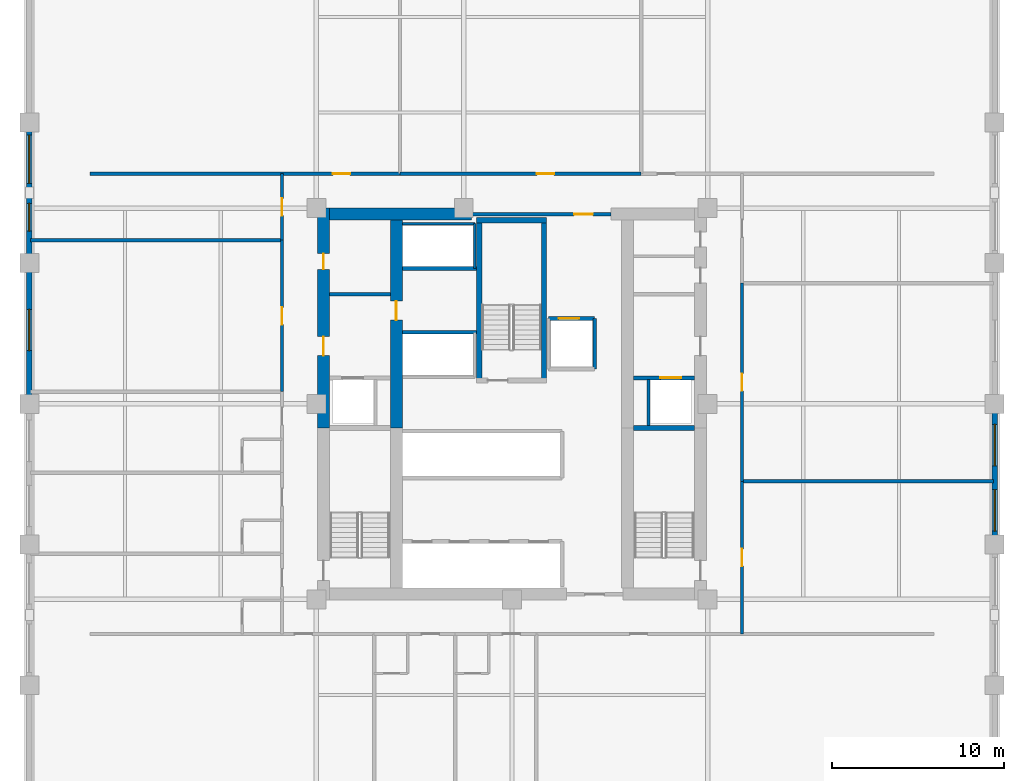
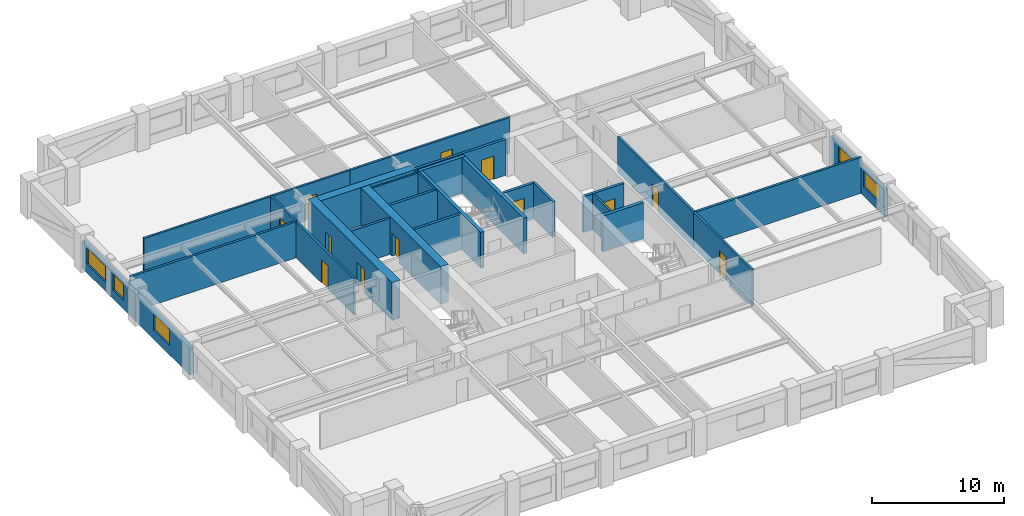
# One storey, part 4 of 7: 28 walls, 12 doors, 5 windows, 17 openings.
"""IFC4 building model written with IfcOpenShell, lengths in metres."""

from ifc_helpers import new_model, si_unit, direction, frame, frame_2d, origin, place, context, subcontext, project, spatial, rectangle, extrude, material, layer, layer_set, type_object, element, fill, save


model = new_model("IFC4")

# Units and contexts
model_context = context("Model", 3, precision=1e-05, world=origin(), true_north=direction((0.0, 1.0)))
body_context = subcontext(model_context, "Body", "Model", "MODEL_VIEW")
ifc_project = project(units=[si_unit("LENGTHUNIT", "METRE"), si_unit("AREAUNIT", "SQUARE_METRE"), si_unit("VOLUMEUNIT", "CUBIC_METRE"), si_unit("PLANEANGLEUNIT", "RADIAN"), si_unit("MASSUNIT", "GRAM", prefix="KILO")], contexts=[model_context])

# Site, building, storey
site_placement = place(None, origin())
site = spatial("IfcSite", under=ifc_project, at=site_placement, CompositionType="ELEMENT")
building_placement = place(site_placement, origin())
building = spatial("IfcBuilding", under=site, at=building_placement, Name="Nhamokura Convention Tower", CompositionType="ELEMENT")
storey_placement = place(building_placement, frame((0.0, 0.0, 59.85009765625)))
storey = spatial("IfcBuildingStorey", under=building, at=storey_placement, Name="L13", CompositionType="ELEMENT", Elevation=59.85009765625)

# Wall, opening, window
ifc_material_1 = material(Name="Bronze-pigmented precast concrete C45/55", Category="concrete")
ifc_layer_1 = layer(ifc_material_1, 0.320068359375)
ifc_layer_set_1 = layer_set([ifc_layer_1], Name="BronzePrecastSpandrel_320")
wall_type_1 = type_object("IfcWallType", Name="BronzePrecastSpandrel_320", PredefinedType="USERDEFINED", material=ifc_layer_set_1)
wall_1_placement = place(storey_placement, frame((4.0, 32.0, 0.0), z_axis=(0.0, 0.0, 1.0), x_axis=(0.0, 1.0, 0.0)))
wall_1 = element("IfcWall", 1, at=wall_1_placement, inside=storey, type_object=wall_type_1, Name="L13 Masonry-Frame Wall WEST 3", ObjectType="SPANDREL_WALL", PredefinedType="USERDEFINED", context=body_context, shape_type="SweptSolid", body=[
    extrude(rectangle(XDim=8.166748046875, YDim=0.320068359375, at=frame_2d((4.08349609375, 0.0))), origin(), (0.0, 0.0, 1.0), 2.52001953125),
])
opening_1_placement = place(wall_1_placement, frame((3.08349609375, 0.0, 0.85009765625)))
opening_1 = element("IfcOpeningElement", 2, at=opening_1_placement, cuts=wall_1, Name="Opening W-03", PredefinedType="OPENING", context=body_context, shape_type="SweptSolid", body=[
    extrude(rectangle(XDim=2.39990234375, YDim=1.469970703125, at=frame_2d((1.199951171875, 0.73486328125))), frame((0.0, 0.169921875, 0.0), z_axis=(0.0, -1.0, 0.0), x_axis=(1.0, 0.0, 0.0)), (0.0, 0.0, 1.0), 0.340087890625),
])
ifc_material_2 = material(Name="Solar-control bronze low-E double glass", Category="glass")
window_type_1 = type_object("IfcWindowType", Name="HotelBayWindow_2400", PartitioningType="DOUBLE_PANEL_VERTICAL", PredefinedType="WINDOW", material=ifc_material_2)
window_1_placement = place(opening_1_placement, origin())
window_1 = element("IfcWindow", 3, at=window_1_placement, inside=storey, type_object=window_type_1, Name="L13 Facade Window WEST 3", OverallHeight=1.469970703125, OverallWidth=2.39990234375, PartitioningType="SINGLE_PANEL", PredefinedType="WINDOW", context=body_context, shape_type="SweptSolid", body=[
    extrude(rectangle(XDim=2.39990234375, YDim=1.469970703125, at=frame_2d((1.199951171875, 0.73486328125))), frame((0.0, 0.030029296875, 0.0), z_axis=(0.0, -1.0, 0.0), x_axis=(1.0, 0.0, 0.0)), (0.0, 0.0, 1.0), 0.06005859375),
])
fill(opening_1, window_1)

# Wall, openings, windows
wall_2_placement = place(storey_placement, frame((4.0, 40.166748046875, 0.0), z_axis=(0.0, 0.0, 1.0), x_axis=(0.0, 1.0, 0.0)))
wall_2 = element("IfcWall", 4, at=wall_2_placement, inside=storey, type_object=wall_type_1, Name="L13 Masonry-Frame Wall WEST 4", ObjectType="SPANDREL_WALL", PredefinedType="USERDEFINED", context=body_context, shape_type="SweptSolid", body=[
    extrude(rectangle(XDim=8.16650390625, YDim=0.320068359375, at=frame_2d((4.083251953125, 0.0))), origin(), (0.0, 0.0, 1.0), 2.52001953125),
])
opening_2_placement = place(wall_2_placement, frame((1.8583984375, 0.0, 0.85009765625)))
opening_2 = element("IfcOpeningElement", 5, at=opening_2_placement, cuts=wall_2, Name="Opening W-11", PredefinedType="OPENING", context=body_context, shape_type="SweptSolid", body=[
    extrude(rectangle(XDim=1.60009765625, YDim=1.469970703125, at=frame_2d((0.800048828125, 0.73486328125))), frame((0.0, 0.169921875, 0.0), z_axis=(0.0, -1.0, 0.0), x_axis=(1.0, 0.0, 0.0)), (0.0, 0.0, 1.0), 0.340087890625),
])
opening_3_placement = place(wall_2_placement, frame((4.625, 0.0, 0.85009765625)))
opening_3 = element("IfcOpeningElement", 6, at=opening_3_placement, cuts=wall_2, Name="Opening W-04", PredefinedType="OPENING", context=body_context, shape_type="SweptSolid", body=[
    extrude(rectangle(XDim=2.800048828125, YDim=1.469970703125, at=frame_2d((1.39990234375, 0.73486328125))), frame((0.0, 0.169921875, 0.0), z_axis=(0.0, -1.0, 0.0), x_axis=(1.0, 0.0, 0.0)), (0.0, 0.0, 1.0), 0.340087890625),
])
ifc_material_3 = material(Name="Solar-control bronze low-E double glass", Category="glass")
window_type_2 = type_object("IfcWindowType", Name="HotelSuiteWindow_2800", PartitioningType="DOUBLE_PANEL_VERTICAL", PredefinedType="WINDOW", material=ifc_material_3)
window_2_placement = place(opening_3_placement, origin())
window_2 = element("IfcWindow", 7, at=window_2_placement, inside=storey, type_object=window_type_2, Name="L13 Facade Window WEST 4-3", OverallHeight=1.469970703125, OverallWidth=2.800048828125, PartitioningType="SINGLE_PANEL", PredefinedType="WINDOW", context=body_context, shape_type="SweptSolid", body=[
    extrude(rectangle(XDim=2.800048828125, YDim=1.469970703125, at=frame_2d((1.39990234375, 0.73486328125))), frame((0.0, 0.030029296875, 0.0), z_axis=(0.0, -1.0, 0.0), x_axis=(1.0, 0.0, 0.0)), (0.0, 0.0, 1.0), 0.06005859375),
])
fill(opening_3, window_2)
ifc_material_4 = material(Name="Solar-control bronze low-E double glass", Category="glass")
window_type_3 = type_object("IfcWindowType", Name="NotchCornerWindow_1600", PartitioningType="SINGLE_PANEL", PredefinedType="WINDOW", material=ifc_material_4)
window_3_placement = place(opening_2_placement, origin())
window_3 = element("IfcWindow", 8, at=window_3_placement, inside=storey, type_object=window_type_3, Name="L13 Facade Window WEST 4-2", OverallHeight=1.469970703125, OverallWidth=1.60009765625, PartitioningType="SINGLE_PANEL", PredefinedType="WINDOW", context=body_context, shape_type="SweptSolid", body=[
    extrude(rectangle(XDim=1.60009765625, YDim=1.469970703125, at=frame_2d((0.800048828125, 0.73486328125))), frame((0.0, 0.030029296875, 0.0), z_axis=(0.0, -1.0, 0.0), x_axis=(1.0, 0.0, 0.0)), (0.0, 0.0, 1.0), 0.06005859375),
])
fill(opening_2, window_3)

wall_3_placement = place(storey_placement, frame((60.0, 32.0, 0.0), z_axis=(0.0, 0.0, 1.0), x_axis=(0.0, -1.0, 0.0)))
wall_3 = element("IfcWall", 9, at=wall_3_placement, inside=storey, type_object=wall_type_1, Name="L13 Masonry-Frame Wall EAST 2", ObjectType="SPANDREL_WALL", PredefinedType="USERDEFINED", context=body_context, shape_type="SweptSolid", body=[
    extrude(rectangle(XDim=8.166748046875, YDim=0.320068359375, at=frame_2d((4.08349609375, 0.0))), origin(), (0.0, 0.0, 1.0), 2.52001953125),
])
opening_4_placement = place(wall_3_placement, frame((1.199951171875, 0.0, 0.85009765625)))
opening_4 = element("IfcOpeningElement", 10, at=opening_4_placement, cuts=wall_3, Name="Opening W-03", PredefinedType="OPENING", context=body_context, shape_type="SweptSolid", body=[
    extrude(rectangle(XDim=2.39990234375, YDim=1.469970703125, at=frame_2d((1.199951171875, 0.73486328125))), frame((0.0, 0.169921875, 0.0), z_axis=(0.0, -1.0, 0.0), x_axis=(1.0, 0.0, 0.0)), (0.0, 0.0, 1.0), 0.340087890625),
])
opening_5_placement = place(wall_3_placement, frame((4.9833984375, 0.0, 0.85009765625)))
opening_5 = element("IfcOpeningElement", 11, at=opening_5_placement, cuts=wall_3, Name="Opening W-03", PredefinedType="OPENING", context=body_context, shape_type="SweptSolid", body=[
    extrude(rectangle(XDim=2.39990234375, YDim=1.469970703125, at=frame_2d((1.199951171875, 0.73486328125))), frame((0.0, 0.169921875, 0.0), z_axis=(0.0, -1.0, 0.0), x_axis=(1.0, 0.0, 0.0)), (0.0, 0.0, 1.0), 0.340087890625),
])
window_4_placement = place(opening_4_placement, origin())
window_4 = element("IfcWindow", 12, at=window_4_placement, inside=storey, type_object=window_type_1, Name="L13 Facade Window EAST 2-1", OverallHeight=1.469970703125, OverallWidth=2.39990234375, PartitioningType="SINGLE_PANEL", PredefinedType="WINDOW", context=body_context, shape_type="SweptSolid", body=[
    extrude(rectangle(XDim=2.39990234375, YDim=1.469970703125, at=frame_2d((1.199951171875, 0.73486328125))), frame((0.0, 0.030029296875, 0.0), z_axis=(0.0, -1.0, 0.0), x_axis=(1.0, 0.0, 0.0)), (0.0, 0.0, 1.0), 0.06005859375),
])
fill(opening_4, window_4)
window_5_placement = place(opening_5_placement, origin())
window_5 = element("IfcWindow", 13, at=window_5_placement, inside=storey, type_object=window_type_1, Name="L13 Facade Window EAST 2-2", OverallHeight=1.469970703125, OverallWidth=2.39990234375, PartitioningType="SINGLE_PANEL", PredefinedType="WINDOW", context=body_context, shape_type="SweptSolid", body=[
    extrude(rectangle(XDim=2.39990234375, YDim=1.469970703125, at=frame_2d((1.199951171875, 0.73486328125))), frame((0.0, 0.030029296875, 0.0), z_axis=(0.0, -1.0, 0.0), x_axis=(1.0, 0.0, 0.0)), (0.0, 0.0, 1.0), 0.06005859375),
])
fill(opening_5, window_5)

# Wall, openings, doors
ifc_material_5 = material(Name="Concrete C70/85", Category="concrete")
ifc_layer_2 = layer(ifc_material_5, 0.699951171875)
ifc_layer_set_2 = layer_set([ifc_layer_2], Name="CoreShearWall_700")
wall_type_2 = type_object("IfcWallType", Name="CoreShearWall_700", PredefinedType="SHEAR", material=ifc_layer_set_2)
wall_4_placement = place(storey_placement, frame((21.06005859375, 30.60009765625, 0.0), z_axis=(0.0, 0.0, 1.0), x_axis=(0.0, 1.0, 0.0)))
wall_4 = element("IfcWall", 14, at=wall_4_placement, inside=storey, type_object=wall_type_2, Name="L13 Core Shear Wall CW-WN", PredefinedType="SHEAR", context=body_context, shape_type="SweptSolid", body=[
    extrude(rectangle(XDim=12.75, YDim=0.699951171875, at=frame_2d((6.375, 0.0))), origin(), (0.0, 0.0, 1.0), 3.5),
])
opening_6_placement = place(wall_4_placement, frame((4.199951171875, 0.0, 0.0)))
opening_6 = element("IfcOpeningElement", 15, at=opening_6_placement, cuts=wall_4, Name="Opening D-05", PredefinedType="OPENING", context=body_context, shape_type="SweptSolid", body=[
    extrude(rectangle(XDim=1.10009765625, YDim=2.14990234375, at=frame_2d((0.550048828125, 1.074951171875))), frame((0.0, 0.35986328125, 0.0), z_axis=(0.0, -1.0, 0.0), x_axis=(1.0, 0.0, 0.0)), (0.0, 0.0, 1.0), 0.719970703125),
])
opening_7_placement = place(wall_4_placement, frame((9.199951171875, 0.0, 0.0)))
opening_7 = element("IfcOpeningElement", 16, at=opening_7_placement, cuts=wall_4, Name="Opening D-10", PredefinedType="OPENING", context=body_context, shape_type="SweptSolid", body=[
    extrude(rectangle(XDim=0.919921875, YDim=2.10009765625, at=frame_2d((0.4599609375, 1.050048828125))), frame((0.0, 0.35986328125, 0.0), z_axis=(0.0, -1.0, 0.0), x_axis=(1.0, 0.0, 0.0)), (0.0, 0.0, 1.0), 0.719970703125),
])
ifc_material_6 = material(Name="Solid oak hardwood", Category="wood")
door_type_1 = type_object("IfcDoorType", Name="AccessibleWCDoor_920", OperationType="NOTDEFINED", PredefinedType="DOOR", material=ifc_material_6)
door_1_placement = place(opening_7_placement, origin())
door_1 = element("IfcDoor", 17, at=door_1_placement, inside=storey, type_object=door_type_1, Name="L13 Core Door INT-L13-D-AWC", OperationType="SINGLE_SWING_LEFT", OverallHeight=2.10009765625, OverallWidth=0.919921875, PredefinedType="DOOR", context=body_context, shape_type="SweptSolid", body=[
    extrude(rectangle(XDim=0.919921875, YDim=2.10009765625, at=frame_2d((0.4599609375, 1.050048828125))), frame((0.0, 0.02490234375, 0.0), z_axis=(0.0, -1.0, 0.0), x_axis=(1.0, 0.0, 0.0)), (0.0, 0.0, 1.0), 0.050048828125),
])
fill(opening_7, door_1)
ifc_material_7 = material(Name="Fire-rated steel door", Category="steel")
door_type_2 = type_object("IfcDoorType", Name="FireLobbyDoor_1100", OperationType="NOTDEFINED", PredefinedType="DOOR", material=ifc_material_7)
door_2_placement = place(opening_6_placement, origin())
door_2 = element("IfcDoor", 18, at=door_2_placement, inside=storey, type_object=door_type_2, Name="L13 Core Door INT-L13-D-FFLW", OperationType="SINGLE_SWING_RIGHT", OverallHeight=2.14990234375, OverallWidth=1.10009765625, PredefinedType="DOOR", context=body_context, shape_type="SweptSolid", body=[
    extrude(rectangle(XDim=1.10009765625, YDim=2.14990234375, at=frame_2d((0.550048828125, 1.074951171875))), frame((0.0, 0.02490234375, 0.0), z_axis=(0.0, -1.0, 0.0), x_axis=(1.0, 0.0, 0.0)), (0.0, 0.0, 1.0), 0.050048828125),
])
fill(opening_6, door_2)

# Wall
wall_5_placement = place(storey_placement, frame((21.409912109375, 43.0, 0.0), z_axis=(0.0, 0.0, 1.0), x_axis=(1.0, 0.0, 0.0)))
element("IfcWall", 19, at=wall_5_placement, inside=storey, type_object=wall_type_2, Name="L13 Core Shear Wall CW-N1", PredefinedType="SHEAR", context=body_context, shape_type="SweptSolid", body=[
    extrude(rectangle(XDim=8.239990234375, YDim=0.699951171875, at=frame_2d((4.1201171875, 0.0))), origin(), (0.0, 0.0, 1.0), 3.5),
])

# Wall, opening, door
wall_6_placement = place(storey_placement, frame((25.2900390625, 30.60009765625, 0.0), z_axis=(0.0, 0.0, 1.0), x_axis=(0.0, 1.0, 0.0)))
wall_6 = element("IfcWall", 20, at=wall_6_placement, inside=storey, type_object=wall_type_2, Name="L13 Core Shear Wall CW-IWN", PredefinedType="SHEAR", context=body_context, shape_type="SweptSolid", body=[
    extrude(rectangle(XDim=12.0498046875, YDim=0.699951171875, at=frame_2d((6.02490234375, 0.0))), origin(), (0.0, 0.0, 1.0), 3.5),
])
opening_8_placement = place(wall_6_placement, frame((6.25, 0.0, 0.0)))
opening_8 = element("IfcOpeningElement", 21, at=opening_8_placement, cuts=wall_6, Name="Opening D-05", PredefinedType="OPENING", context=body_context, shape_type="SweptSolid", body=[
    extrude(rectangle(XDim=1.10009765625, YDim=2.14990234375, at=frame_2d((0.550048828125, 1.074951171875))), frame((0.0, 0.35986328125, 0.0), z_axis=(0.0, -1.0, 0.0), x_axis=(1.0, 0.0, 0.0)), (0.0, 0.0, 1.0), 0.719970703125),
])
door_3_placement = place(opening_8_placement, origin())
door_3 = element("IfcDoor", 22, at=door_3_placement, inside=storey, type_object=door_type_2, Name="L13 Core Door INT-L13-D-B3LOB", OperationType="SINGLE_SWING_LEFT", OverallHeight=2.14990234375, OverallWidth=1.10009765625, PredefinedType="DOOR", context=body_context, shape_type="SweptSolid", body=[
    extrude(rectangle(XDim=1.10009765625, YDim=2.14990234375, at=frame_2d((0.550048828125, 1.074951171875))), frame((0.0, 0.02490234375, 0.0), z_axis=(0.0, -1.0, 0.0), x_axis=(1.0, 0.0, 0.0)), (0.0, 0.0, 1.0), 0.050048828125),
])
fill(opening_8, door_3)

ifc_material_8 = material(Name="Fire-rated gypsum and masonry partition", Category="masonry")
ifc_layer_3 = layer(ifc_material_8, 0.179931640625)
ifc_layer_set_3 = layer_set([ifc_layer_3], Name="CorridorRatedWall_180")
wall_type_3 = type_object("IfcWallType", Name="CorridorRatedWall_180", PredefinedType="STANDARD", material=ifc_layer_set_3)
wall_7_placement = place(storey_placement, frame((7.5, 45.35009765625, 0.0), z_axis=(0.0, 0.0, 1.0), x_axis=(1.0, 0.0, 0.0)))
wall_7 = element("IfcWall", 23, at=wall_7_placement, inside=storey, type_object=wall_type_3, Name="L13 Wall INT-L13-CW-N00", PredefinedType="STANDARD", context=body_context, shape_type="SweptSolid", body=[
    extrude(rectangle(XDim=18.0, YDim=0.179931640625, at=frame_2d((9.0, 0.0))), origin(), (0.0, 0.0, 1.0), 3.31982421875),
])
opening_9_placement = place(wall_7_placement, frame((14.10009765625, 0.0, 0.0)))
opening_9 = element("IfcOpeningElement", 24, at=opening_9_placement, cuts=wall_7, Name="Opening D-07", PredefinedType="OPENING", context=body_context, shape_type="SweptSolid", body=[
    extrude(rectangle(XDim=1.0, YDim=2.14990234375, at=frame_2d((0.5, 1.074951171875))), frame((0.0, 0.099853515625, 0.0), z_axis=(0.0, -1.0, 0.0), x_axis=(1.0, 0.0, 0.0)), (0.0, 0.0, 1.0), 0.199951171875),
])
ifc_material_9 = material(Name="Solid oak hardwood", Category="wood")
door_type_3 = type_object("IfcDoorType", Name="HotelSuiteEntryDoor_1000", OperationType="NOTDEFINED", PredefinedType="DOOR", material=ifc_material_9)
door_4_placement = place(opening_9_placement, origin())
door_4 = element("IfcDoor", 25, at=door_4_placement, inside=storey, type_object=door_type_3, Name="L13 Conference Salon N01 Door", OperationType="SINGLE_SWING_LEFT", OverallHeight=2.14990234375, OverallWidth=1.0, PredefinedType="DOOR", context=body_context, shape_type="SweptSolid", body=[
    extrude(rectangle(XDim=1.0, YDim=2.14990234375, at=frame_2d((0.5, 1.074951171875))), frame((0.0, 0.02490234375, 0.0), z_axis=(0.0, -1.0, 0.0), x_axis=(1.0, 0.0, 0.0)), (0.0, 0.0, 1.0), 0.050048828125),
])
fill(opening_9, door_4)

wall_8_placement = place(storey_placement, frame((25.5, 45.35009765625, 0.0), z_axis=(0.0, 0.0, 1.0), x_axis=(1.0, 0.0, 0.0)))
wall_8 = element("IfcWall", 26, at=wall_8_placement, inside=storey, type_object=wall_type_3, Name="L13 Wall INT-L13-CW-N01", PredefinedType="STANDARD", context=body_context, shape_type="SweptSolid", body=[
    extrude(rectangle(XDim=14.0, YDim=0.179931640625, at=frame_2d((7.0, 0.0))), origin(), (0.0, 0.0, 1.0), 3.31982421875),
])
opening_10_placement = place(wall_8_placement, frame((7.949951171875, 0.0, 0.0)))
opening_10 = element("IfcOpeningElement", 27, at=opening_10_placement, cuts=wall_8, Name="Opening D-07", PredefinedType="OPENING", context=body_context, shape_type="SweptSolid", body=[
    extrude(rectangle(XDim=1.0, YDim=2.14990234375, at=frame_2d((0.5, 1.074951171875))), frame((0.0, 0.099853515625, 0.0), z_axis=(0.0, -1.0, 0.0), x_axis=(1.0, 0.0, 0.0)), (0.0, 0.0, 1.0), 0.199951171875),
])
door_5_placement = place(opening_10_placement, origin())
door_5 = element("IfcDoor", 28, at=door_5_placement, inside=storey, type_object=door_type_3, Name="L13 Hotel Lounge N02 Door", OperationType="SINGLE_SWING_RIGHT", OverallHeight=2.14990234375, OverallWidth=1.0, PredefinedType="DOOR", context=body_context, shape_type="SweptSolid", body=[
    extrude(rectangle(XDim=1.0, YDim=2.14990234375, at=frame_2d((0.5, 1.074951171875))), frame((0.0, 0.02490234375, 0.0), z_axis=(0.0, -1.0, 0.0), x_axis=(1.0, 0.0, 0.0)), (0.0, 0.0, 1.0), 0.050048828125),
])
fill(opening_10, door_5)

wall_9_placement = place(storey_placement, frame((18.64990234375, 32.699951171875, 0.0), z_axis=(0.0, 0.0, 1.0), x_axis=(0.0, 1.0, 0.0)))
wall_9 = element("IfcWall", 29, at=wall_9_placement, inside=storey, type_object=wall_type_3, Name="L13 Wall INT-L13-CW-W03", PredefinedType="STANDARD", context=body_context, shape_type="SweptSolid", body=[
    extrude(rectangle(XDim=8.800048828125, YDim=0.179931640625, at=frame_2d((4.39990234375, 0.0))), origin(), (0.0, 0.0, 1.0), 3.31982421875),
])
opening_11_placement = place(wall_9_placement, frame((3.89990234375, 0.0, 0.0)))
opening_11 = element("IfcOpeningElement", 30, at=opening_11_placement, cuts=wall_9, Name="Opening D-07", PredefinedType="OPENING", context=body_context, shape_type="SweptSolid", body=[
    extrude(rectangle(XDim=1.0, YDim=2.14990234375, at=frame_2d((0.5, 1.074951171875))), frame((0.0, 0.099853515625, 0.0), z_axis=(0.0, -1.0, 0.0), x_axis=(1.0, 0.0, 0.0)), (0.0, 0.0, 1.0), 0.199951171875),
])
door_6_placement = place(opening_11_placement, origin())
door_6 = element("IfcDoor", 31, at=door_6_placement, inside=storey, type_object=door_type_3, Name="L13 Conference Salon W04 Door", OperationType="SINGLE_SWING_RIGHT", OverallHeight=2.14990234375, OverallWidth=1.0, PredefinedType="DOOR", context=body_context, shape_type="SweptSolid", body=[
    extrude(rectangle(XDim=1.0, YDim=2.14990234375, at=frame_2d((0.5, 1.074951171875))), frame((0.0, 0.02490234375, 0.0), z_axis=(0.0, -1.0, 0.0), x_axis=(1.0, 0.0, 0.0)), (0.0, 0.0, 1.0), 0.050048828125),
])
fill(opening_11, door_6)

wall_10_placement = place(storey_placement, frame((18.64990234375, 41.5, 0.0), z_axis=(0.0, 0.0, 1.0), x_axis=(0.0, 1.0, 0.0)))
wall_10 = element("IfcWall", 32, at=wall_10_placement, inside=storey, type_object=wall_type_3, Name="L13 Wall INT-L13-CW-W04", PredefinedType="STANDARD", context=body_context, shape_type="SweptSolid", body=[
    extrude(rectangle(XDim=3.85009765625, YDim=0.179931640625, at=frame_2d((1.925048828125, 0.0))), origin(), (0.0, 0.0, 1.0), 3.31982421875),
])
opening_12_placement = place(wall_10_placement, frame((1.425048828125, 0.0, 0.0)))
opening_12 = element("IfcOpeningElement", 33, at=opening_12_placement, cuts=wall_10, Name="Opening D-07", PredefinedType="OPENING", context=body_context, shape_type="SweptSolid", body=[
    extrude(rectangle(XDim=1.0, YDim=2.14990234375, at=frame_2d((0.5, 1.074951171875))), frame((0.0, 0.099853515625, 0.0), z_axis=(0.0, -1.0, 0.0), x_axis=(1.0, 0.0, 0.0)), (0.0, 0.0, 1.0), 0.199951171875),
])
door_7_placement = place(opening_12_placement, origin())
door_7 = element("IfcDoor", 34, at=door_7_placement, inside=storey, type_object=door_type_3, Name="L13 Service Linen Room W05 Door", OperationType="SINGLE_SWING_LEFT", OverallHeight=2.14990234375, OverallWidth=1.0, PredefinedType="DOOR", context=body_context, shape_type="SweptSolid", body=[
    extrude(rectangle(XDim=1.0, YDim=2.14990234375, at=frame_2d((0.5, 1.074951171875))), frame((0.0, 0.02490234375, 0.0), z_axis=(0.0, -1.0, 0.0), x_axis=(1.0, 0.0, 0.0)), (0.0, 0.0, 1.0), 0.050048828125),
])
fill(opening_12, door_7)

wall_11_placement = place(storey_placement, frame((45.35009765625, 18.64990234375, 0.0), z_axis=(0.0, 0.0, 1.0), x_axis=(0.0, 1.0, 0.0)))
wall_11 = element("IfcWall", 35, at=wall_11_placement, inside=storey, type_object=wall_type_3, Name="L13 Wall INT-L13-CW-E00", PredefinedType="STANDARD", context=body_context, shape_type="SweptSolid", body=[
    extrude(rectangle(XDim=8.85009765625, YDim=0.179931640625, at=frame_2d((4.425048828125, 0.0))), origin(), (0.0, 0.0, 1.0), 3.31982421875),
])
opening_13_placement = place(wall_11_placement, frame((3.925048828125, 0.0, 0.0)))
opening_13 = element("IfcOpeningElement", 36, at=opening_13_placement, cuts=wall_11, Name="Opening D-07", PredefinedType="OPENING", context=body_context, shape_type="SweptSolid", body=[
    extrude(rectangle(XDim=1.0, YDim=2.14990234375, at=frame_2d((0.5, 1.074951171875))), frame((0.0, 0.099853515625, 0.0), z_axis=(0.0, -1.0, 0.0), x_axis=(1.0, 0.0, 0.0)), (0.0, 0.0, 1.0), 0.199951171875),
])
door_8_placement = place(opening_13_placement, origin())
door_8 = element("IfcDoor", 37, at=door_8_placement, inside=storey, type_object=door_type_3, Name="L13 Business Studio E01 Door", OperationType="SINGLE_SWING_LEFT", OverallHeight=2.14990234375, OverallWidth=1.0, PredefinedType="DOOR", context=body_context, shape_type="SweptSolid", body=[
    extrude(rectangle(XDim=1.0, YDim=2.14990234375, at=frame_2d((0.5, 1.074951171875))), frame((0.0, 0.02490234375, 0.0), z_axis=(0.0, -1.0, 0.0), x_axis=(1.0, 0.0, 0.0)), (0.0, 0.0, 1.0), 0.050048828125),
])
fill(opening_13, door_8)

wall_12_placement = place(storey_placement, frame((45.35009765625, 27.5, 0.0), z_axis=(0.0, 0.0, 1.0), x_axis=(0.0, 1.0, 0.0)))
wall_12 = element("IfcWall", 38, at=wall_12_placement, inside=storey, type_object=wall_type_3, Name="L13 Wall INT-L13-CW-E01", PredefinedType="STANDARD", context=body_context, shape_type="SweptSolid", body=[
    extrude(rectangle(XDim=11.5, YDim=0.179931640625, at=frame_2d((5.75, 0.0))), origin(), (0.0, 0.0, 1.0), 3.31982421875),
])
opening_14_placement = place(wall_12_placement, frame((5.25, 0.0, 0.0)))
opening_14 = element("IfcOpeningElement", 39, at=opening_14_placement, cuts=wall_12, Name="Opening D-07", PredefinedType="OPENING", context=body_context, shape_type="SweptSolid", body=[
    extrude(rectangle(XDim=1.0, YDim=2.14990234375, at=frame_2d((0.5, 1.074951171875))), frame((0.0, 0.099853515625, 0.0), z_axis=(0.0, -1.0, 0.0), x_axis=(1.0, 0.0, 0.0)), (0.0, 0.0, 1.0), 0.199951171875),
])
door_9_placement = place(opening_14_placement, origin())
door_9 = element("IfcDoor", 40, at=door_9_placement, inside=storey, type_object=door_type_3, Name="L13 Housekeeping Store E02 Door", OperationType="SINGLE_SWING_RIGHT", OverallHeight=2.14990234375, OverallWidth=1.0, PredefinedType="DOOR", context=body_context, shape_type="SweptSolid", body=[
    extrude(rectangle(XDim=1.0, YDim=2.14990234375, at=frame_2d((0.5, 1.074951171875))), frame((0.0, 0.02490234375, 0.0), z_axis=(0.0, -1.0, 0.0), x_axis=(1.0, 0.0, 0.0)), (0.0, 0.0, 1.0), 0.050048828125),
])
fill(opening_14, door_9)

ifc_material_10 = material(Name="Autoclaved concrete blockwork", Category="masonry")
ifc_layer_4 = layer(ifc_material_10, 0.219970703125)
ifc_layer_set_4 = layer_set([ifc_layer_4], Name="FireLobbyWall_220")
wall_type_4 = type_object("IfcWallType", Name="FireLobbyWall_220", PredefinedType="STANDARD", material=ifc_layer_set_4)
wall_13_placement = place(storey_placement, frame((39.06005859375, 33.5, 0.0), z_axis=(0.0, 0.0, 1.0), x_axis=(1.0, 0.0, 0.0)))
wall_13 = element("IfcWall", 41, at=wall_13_placement, inside=storey, type_object=wall_type_4, Name="L13 Wall INT-L13-FFE-S", PredefinedType="STANDARD", context=body_context, shape_type="SweptSolid", body=[
    extrude(rectangle(XDim=3.530029296875, YDim=0.219970703125, at=frame_2d((1.76513671875, 0.0))), origin(), (0.0, 0.0, 1.0), 3.31982421875),
])
opening_15_placement = place(wall_13_placement, frame((1.550048828125, 0.0, 0.0)))
opening_15 = element("IfcOpeningElement", 42, at=opening_15_placement, cuts=wall_13, Name="Opening LD-02", PredefinedType="OPENING", context=body_context, shape_type="SweptSolid", body=[
    extrude(rectangle(XDim=1.199951171875, YDim=2.199951171875, at=frame_2d((0.60009765625, 1.10009765625))), frame((0.0, 0.119873046875, 0.0), z_axis=(0.0, -1.0, 0.0), x_axis=(1.0, 0.0, 0.0)), (0.0, 0.0, 1.0), 0.239990234375),
])
ifc_material_11 = material(Name="Anodised bronze stainless steel", Category="steel")
door_type_4 = type_object("IfcDoorType", Name="LiftLandingDoor_FireService", OperationType="DOUBLE_DOOR_SLIDING", PredefinedType="DOOR", material=ifc_material_11)
door_10_placement = place(opening_15_placement, origin())
door_10 = element("IfcDoor", 43, at=door_10_placement, inside=storey, type_object=door_type_4, Name="L13 Firefighting Lift LF-02 Door", OperationType="DOUBLE_DOOR_SLIDING", OverallHeight=2.199951171875, OverallWidth=1.199951171875, PredefinedType="DOOR", context=body_context, shape_type="SweptSolid", body=[
    extrude(rectangle(XDim=1.199951171875, YDim=2.199951171875, at=frame_2d((0.60009765625, 1.10009765625))), frame((0.0, 0.02490234375, 0.0), z_axis=(0.0, -1.0, 0.0), x_axis=(1.0, 0.0, 0.0)), (0.0, 0.0, 1.0), 0.050048828125),
])
fill(opening_15, door_10)

# Walls
wall_14_placement = place(storey_placement, frame((21.409912109375, 38.35009765625, 0.0), z_axis=(0.0, 0.0, 1.0), x_axis=(1.0, 0.0, 0.0)))
element("IfcWall", 44, at=wall_14_placement, inside=storey, type_object=wall_type_4, Name="L13 Wall INT-L13-FFW-N", PredefinedType="STANDARD", context=body_context, shape_type="SweptSolid", body=[
    extrude(rectangle(XDim=3.530029296875, YDim=0.219970703125, at=frame_2d((1.76513671875, 0.0))), origin(), (0.0, 0.0, 1.0), 3.31982421875),
])
for number, where, z_axis, x_axis, name in (
    (45, (25.64990234375, 36.14990234375, 0.0), (0.0, 0.0, 1.0), (1.0, 0.0, 0.0), "L13 Wall INT-L13-B3S"),
    (46, (25.64990234375, 39.85009765625, 0.0), (0.0, 0.0, 1.0), (1.0, 0.0, 0.0), "L13 Wall INT-L13-B3N"),
):
    element("IfcWall", number, at=place(storey_placement, frame(where, z_axis=z_axis, x_axis=x_axis)), inside=storey, type_object=wall_type_4, Name=name, PredefinedType="STANDARD", context=body_context, shape_type="SweptSolid", body=[
        extrude(rectangle(XDim=4.300048828125, YDim=0.219970703125, at=frame_2d((2.14990234375, 0.0))), origin(), (0.0, 0.0, 1.0), 3.31982421875),
    ])

# Wall, opening, door
wall_15_placement = place(storey_placement, frame((29.64990234375, 43.0, 0.0), z_axis=(0.0, 0.0, 1.0), x_axis=(1.0, 0.0, 0.0)))
wall_15 = element("IfcWall", 47, at=wall_15_placement, inside=storey, type_object=wall_type_4, Name="L13 Wall INT-L13-CPORT-N", PredefinedType="STANDARD", context=body_context, shape_type="SweptSolid", body=[
    extrude(rectangle(XDim=8.10009765625, YDim=0.219970703125, at=frame_2d((4.050048828125, 0.0))), origin(), (0.0, 0.0, 1.0), 3.31982421875),
])
opening_16_placement = place(wall_15_placement, frame((5.949951171875, 0.0, 0.0)))
opening_16 = element("IfcOpeningElement", 48, at=opening_16_placement, cuts=wall_15, Name="Opening D-05", PredefinedType="OPENING", context=body_context, shape_type="SweptSolid", body=[
    extrude(rectangle(XDim=1.10009765625, YDim=2.14990234375, at=frame_2d((0.550048828125, 1.074951171875))), frame((0.0, 0.119873046875, 0.0), z_axis=(0.0, -1.0, 0.0), x_axis=(1.0, 0.0, 0.0)), (0.0, 0.0, 1.0), 0.239990234375),
])
door_11_placement = place(opening_16_placement, origin())
door_11 = element("IfcDoor", 49, at=door_11_placement, inside=storey, type_object=door_type_2, Name="L13 North Core Lobby Portal Door", OperationType="SINGLE_SWING_RIGHT", OverallHeight=2.14990234375, OverallWidth=1.10009765625, PredefinedType="DOOR", context=body_context, shape_type="SweptSolid", body=[
    extrude(rectangle(XDim=1.10009765625, YDim=2.14990234375, at=frame_2d((0.550048828125, 1.074951171875))), frame((0.0, 0.02490234375, 0.0), z_axis=(0.0, -1.0, 0.0), x_axis=(1.0, 0.0, 0.0)), (0.0, 0.0, 1.0), 0.050048828125),
])
fill(opening_16, door_11)

wall_16_placement = place(storey_placement, frame((34.1201171875, 36.949951171875, 0.0), z_axis=(0.0, 0.0, 1.0), x_axis=(1.0, 0.0, 0.0)))
wall_16 = element("IfcWall", 50, at=wall_16_placement, inside=storey, type_object=wall_type_4, Name="L13 Wall INT-L13-LSN", PredefinedType="STANDARD", context=body_context, shape_type="SweptSolid", body=[
    extrude(rectangle(XDim=2.679931640625, YDim=0.219970703125, at=frame_2d((1.33984375, 0.0))), origin(), (0.0, 0.0, 1.0), 3.31982421875),
])
opening_17_placement = place(wall_16_placement, frame((0.580078125, 0.0, 0.0)))
opening_17 = element("IfcOpeningElement", 51, at=opening_17_placement, cuts=wall_16, Name="Opening LD-02", PredefinedType="OPENING", context=body_context, shape_type="SweptSolid", body=[
    extrude(rectangle(XDim=1.199951171875, YDim=2.199951171875, at=frame_2d((0.60009765625, 1.10009765625))), frame((0.0, 0.119873046875, 0.0), z_axis=(0.0, -1.0, 0.0), x_axis=(1.0, 0.0, 0.0)), (0.0, 0.0, 1.0), 0.239990234375),
])
door_12_placement = place(opening_17_placement, origin())
door_12 = element("IfcDoor", 52, at=door_12_placement, inside=storey, type_object=door_type_4, Name="L13 Service Lift LS-01 Door", OperationType="DOUBLE_DOOR_SLIDING", OverallHeight=2.199951171875, OverallWidth=1.199951171875, PredefinedType="DOOR", context=body_context, shape_type="SweptSolid", body=[
    extrude(rectangle(XDim=1.199951171875, YDim=2.199951171875, at=frame_2d((0.60009765625, 1.10009765625))), frame((0.0, 0.02490234375, 0.0), z_axis=(0.0, -1.0, 0.0), x_axis=(1.0, 0.0, 0.0)), (0.0, 0.0, 1.0), 0.050048828125),
])
fill(opening_17, door_12)

# Walls
wall_17_placement = place(storey_placement, frame((36.800048828125, 34.02001953125, 0.0), z_axis=(0.0, 0.0, 1.0), x_axis=(0.0, 1.0, 0.0)))
element("IfcWall", 53, at=wall_17_placement, inside=storey, type_object=wall_type_4, Name="L13 Wall INT-L13-LSE", PredefinedType="STANDARD", context=body_context, shape_type="SweptSolid", body=[
    extrude(rectangle(XDim=2.929931640625, YDim=0.219970703125, at=frame_2d((1.46484375, 0.0))), origin(), (0.0, 0.0, 1.0), 3.31982421875),
])
ifc_material_12 = material(Name="Acoustic twin-stud gypsum partition", Category="masonry")
ifc_layer_5 = layer(ifc_material_12, 0.199951171875)
ifc_layer_set_5 = layer_set([ifc_layer_5], Name="HotelDemisingWall_200")
wall_type_5 = type_object("IfcWallType", Name="HotelDemisingWall_200", PredefinedType="STANDARD", material=ifc_layer_set_5)
for number, where, z_axis, x_axis, name in (
    (54, (4.06005859375, 41.5, 0.0), (0.0, 0.0, 1.0), (1.0, 0.0, 0.0), "L13 Wall INT-L13-RW-W04"),
    (55, (45.35009765625, 27.5, 0.0), (0.0, 0.0, 1.0), (1.0, 0.0, 0.0), "L13 Wall INT-L13-RW-E01"),
):
    element("IfcWall", number, at=place(storey_placement, frame(where, z_axis=z_axis, x_axis=x_axis)), inside=storey, type_object=wall_type_5, Name=name, PredefinedType="STANDARD", context=body_context, shape_type="SweptSolid", body=[
        extrude(rectangle(XDim=14.58984375, YDim=0.199951171875, at=frame_2d((7.294921875, 0.0))), origin(), (0.0, 0.0, 1.0), 3.31982421875),
    ])
ifc_material_13 = material(Name="Acoustic gypsum stud partition", Category="masonry")
ifc_layer_6 = layer(ifc_material_13, 0.14990234375)
ifc_layer_set_6 = layer_set([ifc_layer_6], Name="InteriorPartition_150")
wall_type_6 = type_object("IfcWallType", Name="InteriorPartition_150", PredefinedType="STANDARD", material=ifc_layer_set_6)
wall_18_placement = place(storey_placement, frame((39.919921875, 30.75, 0.0), z_axis=(0.0, 0.0, 1.0), x_axis=(0.0, 1.0, 0.0)))
element("IfcWall", 56, at=wall_18_placement, inside=storey, type_object=wall_type_6, Name="L13 Wall INT-L13-FF2-W", PredefinedType="STANDARD", context=body_context, shape_type="SweptSolid", body=[
    extrude(rectangle(XDim=2.64990234375, YDim=0.14990234375, at=frame_2d((1.324951171875, 0.0))), origin(), (0.0, 0.0, 1.0), 3.31982421875),
])
wall_19_placement = place(storey_placement, frame((25.64990234375, 42.449951171875, 0.0), z_axis=(0.0, 0.0, 1.0), x_axis=(1.0, 0.0, 0.0)))
element("IfcWall", 57, at=wall_19_placement, inside=storey, type_object=wall_type_6, Name="L13 Wall INT-L13-B3B-N", PredefinedType="STANDARD", context=body_context, shape_type="SweptSolid", body=[
    extrude(rectangle(XDim=4.2001953125, YDim=0.14990234375, at=frame_2d((2.10009765625, 0.0))), origin(), (0.0, 0.0, 1.0), 3.31982421875),
])
wall_20_placement = place(storey_placement, frame((29.85009765625, 39.85009765625, 0.0), z_axis=(0.0, 0.0, 1.0), x_axis=(0.0, 1.0, 0.0)))
element("IfcWall", 58, at=wall_20_placement, inside=storey, type_object=wall_type_6, Name="L13 Wall INT-L13-B3B-E", PredefinedType="STANDARD", context=body_context, shape_type="SweptSolid", body=[
    extrude(rectangle(XDim=2.599853515625, YDim=0.14990234375, at=frame_2d((1.2998046875, 0.0))), origin(), (0.0, 0.0, 1.0), 3.31982421875),
])
ifc_material_14 = material(Name="Concrete C50/60", Category="concrete")
ifc_layer_7 = layer(ifc_material_14, 0.300048828125)
ifc_layer_set_7 = layer_set([ifc_layer_7], Name="ShaftEnclosureWall_300")
wall_type_7 = type_object("IfcWallType", Name="ShaftEnclosureWall_300", PredefinedType="SHEAR", material=ifc_layer_set_7)
wall_21_placement = place(storey_placement, frame((39.06005859375, 30.60009765625, 0.0), z_axis=(0.0, 0.0, 1.0), x_axis=(1.0, 0.0, 0.0)))
element("IfcWall", 59, at=wall_21_placement, inside=storey, type_object=wall_type_7, Name="L13 Wall INT-L13-ST02-N", PredefinedType="SHEAR", context=body_context, shape_type="SweptSolid", body=[
    extrude(rectangle(XDim=3.530029296875, YDim=0.300048828125, at=frame_2d((1.76513671875, 0.0))), origin(), (0.0, 0.0, 1.0), 3.31982421875),
])
for number, where, z_axis, x_axis, name in (
    (60, (30.10009765625, 33.199951171875, 0.0), (0.0, 0.0, 1.0), (0.0, 1.0, 0.0), "L13 Wall INT-L13-ST03W"),
    (61, (33.85009765625, 33.199951171875, 0.0), (0.0, 0.0, 1.0), (0.0, 1.0, 0.0), "L13 Wall INT-L13-ST03E"),
):
    element("IfcWall", number, at=place(storey_placement, frame(where, z_axis=z_axis, x_axis=x_axis)), inside=storey, type_object=wall_type_7, Name=name, PredefinedType="SHEAR", context=body_context, shape_type="SweptSolid", body=[
        extrude(rectangle(XDim=9.60009765625, YDim=0.300048828125, at=frame_2d((4.800048828125, 0.0))), origin(), (0.0, 0.0, 1.0), 3.31982421875),
    ])
wall_22_placement = place(storey_placement, frame((29.949951171875, 42.64990234375, 0.0), z_axis=(0.0, 0.0, 1.0), x_axis=(1.0, 0.0, 0.0)))
element("IfcWall", 62, at=wall_22_placement, inside=storey, type_object=wall_type_7, Name="L13 Wall INT-L13-ST03N", PredefinedType="SHEAR", context=body_context, shape_type="SweptSolid", body=[
    extrude(rectangle(XDim=4.050048828125, YDim=0.300048828125, at=frame_2d((2.02490234375, 0.0))), origin(), (0.0, 0.0, 1.0), 3.31982421875),
])

save(model, "model.ifc")
